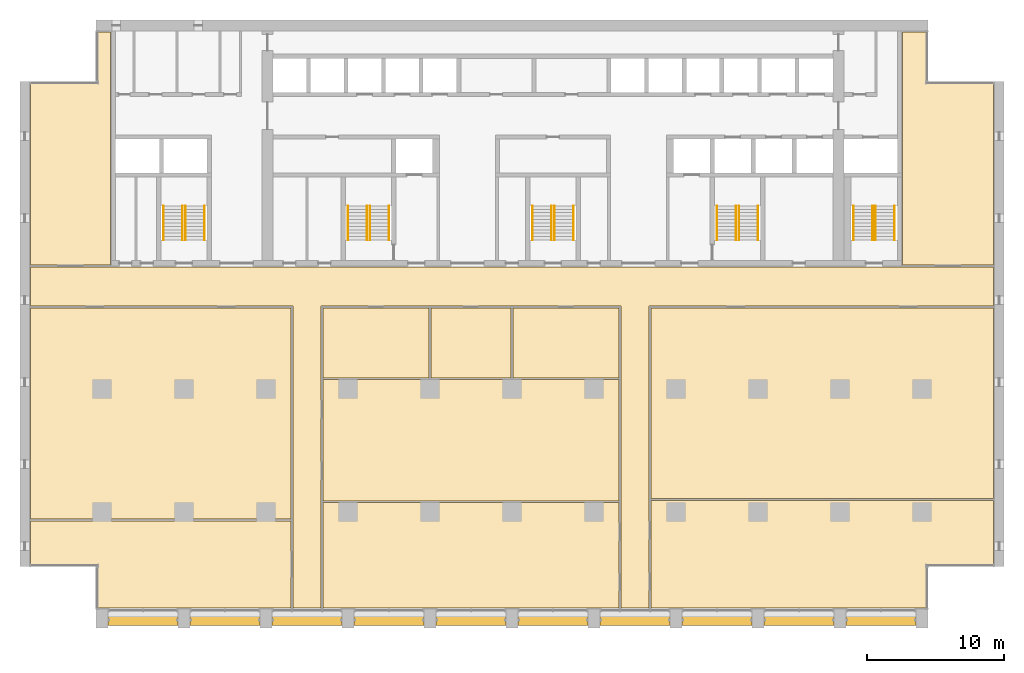
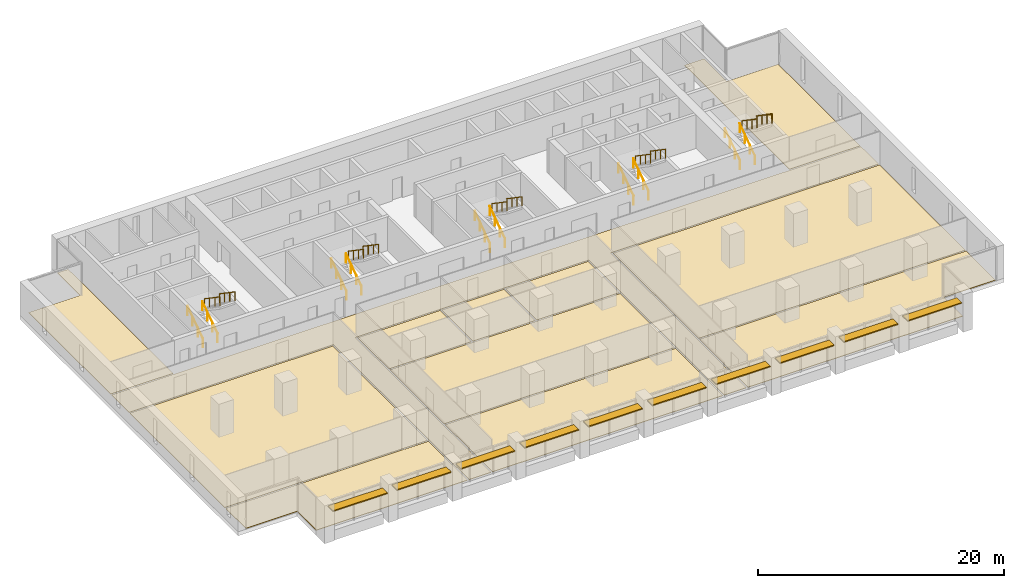
# One storey, part 15 of 15: 20 railings, 12 coverings, 10 shading devices, 5 elements without a shape of their own.
"""IFC4 building model written with IfcOpenShell, lengths in metres."""

from ifc_helpers import new_model, si_unit, direction, frame, origin, origin_2d, place, context, subcontext, project, spatial, polyline, rectangle, circle, outline, extrude, material, layer, layer_set, material_profile, profile_set, type_object, element, aggregate, save


model = new_model("IFC4")

# Units and contexts
model_context = context("Model", 3, precision=1e-05, world=origin(), true_north=direction((0.0, 1.0)))
body_context = subcontext(model_context, "Body", "Model", "MODEL_VIEW")
ifc_project = project(units=[si_unit("LENGTHUNIT", "METRE"), si_unit("AREAUNIT", "SQUARE_METRE"), si_unit("VOLUMEUNIT", "CUBIC_METRE"), si_unit("PLANEANGLEUNIT", "RADIAN"), si_unit("MASSUNIT", "GRAM", prefix="KILO")], contexts=[model_context])

# Site, building, storey
site_placement = place(None, origin())
site = spatial("IfcSite", under=ifc_project, at=site_placement, CompositionType="ELEMENT")
building_placement = place(site_placement, origin())
building = spatial("IfcBuilding", under=site, at=building_placement, Name="Calvaro Tower", CompositionType="ELEMENT")
storey_placement = place(building_placement, frame((0.0, 0.0, 110.0)))
storey = spatial("IfcBuildingStorey", under=building, at=storey_placement, Name="L27", CompositionType="ELEMENT", Elevation=110.0)

# Shading devices
ifc_material_1 = material(Name="Anodised aluminium", Category="aluminium")
ifc_material_profile = material_profile(ifc_material_1, rectangle(XDim=0.800048828125, YDim=0.10009765625, at=origin_2d()), Name="Brise-soleil blade 800 x 100")
ifc_profile_set = profile_set([ifc_material_profile], Name="Anodised aluminium")
shading_device_type = type_object("IfcShadingDeviceType", Name="Brise-soleil blade 800 x 100", PredefinedType="JALOUSIE", material=ifc_profile_set)
for number, where, z_axis, x_axis, name in (
    (1, (6.449951171875, 2.10009765625, 2.39990234375), (1.0, 0.0, 0.0), (0.0, 1.0, 0.0), "Brise-soleil blade 1"),
    (2, (12.449951171875, 2.10009765625, 2.39990234375), (1.0, 0.0, 0.0), (0.0, 1.0, 0.0), "Brise-soleil blade 2"),
    (3, (18.449951171875, 2.10009765625, 2.39990234375), (1.0, 0.0, 0.0), (0.0, 1.0, 0.0), "Brise-soleil blade 3"),
    (4, (24.449951171875, 2.10009765625, 2.39990234375), (1.0, 0.0, 0.0), (0.0, 1.0, 0.0), "Brise-soleil blade 4"),
    (5, (30.449951171875, 2.10009765625, 2.39990234375), (1.0, 0.0, 0.0), (0.0, 1.0, 0.0), "Brise-soleil blade 5"),
    (6, (36.449951171875, 2.10009765625, 2.39990234375), (1.0, 0.0, 0.0), (0.0, 1.0, 0.0), "Brise-soleil blade 6"),
    (7, (42.449951171875, 2.10009765625, 2.39990234375), (1.0, 0.0, 0.0), (0.0, 1.0, 0.0), "Brise-soleil blade 7"),
    (8, (48.449951171875, 2.10009765625, 2.39990234375), (1.0, 0.0, 0.0), (0.0, 1.0, 0.0), "Brise-soleil blade 8"),
    (9, (54.449951171875, 2.10009765625, 2.39990234375), (1.0, 0.0, 0.0), (0.0, 1.0, 0.0), "Brise-soleil blade 9"),
    (10, (60.449951171875, 2.10009765625, 2.39990234375), (1.0, 0.0, 0.0), (0.0, 1.0, 0.0), "Brise-soleil blade 10"),
):
    element("IfcShadingDevice", number, at=place(storey_placement, frame(where, z_axis=z_axis, x_axis=x_axis)), inside=storey, type_object=shading_device_type, Name=name, PredefinedType="JALOUSIE", context=body_context, shape_type="SweptSolid", body=[
        extrude(rectangle(XDim=0.800048828125, YDim=0.10009765625, at=origin_2d()), origin(), (0.0, 0.0, 1.0), 5.10009765625),
    ])

# Coverings
ifc_material_2 = material(Name="Cement screed with carpet tile finish")
ifc_layer = layer(ifc_material_2, 0.050048828125)
ifc_layer_set = layer_set([ifc_layer], Name="Cement screed with carpet tile finish")
covering_type = type_object("IfcCoveringType", Name="Floor finish 50", PredefinedType="FLOORING", material=ifc_layer_set)
covering_1_placement = place(storey_placement, origin())
element("IfcCovering", 11, at=covering_1_placement, inside=storey, type_object=covering_type, Name="Floor finish 17.01", PredefinedType="FLOORING", context=body_context, shape_type="SweptSolid", body=[
    extrude(outline(polyline([(19.969970703125, 2.969970703125), (19.969970703125, 25.070068359375), (0.77001953125, 25.070068359375), (0.77001953125, 27.929931640625), (71.22998046875, 27.929931640625), (71.22998046875, 25.070068359375), (46.030029296875, 25.070068359375), (46.030029296875, 2.969970703125), (43.969970703125, 2.969970703125), (43.969970703125, 25.070068359375), (22.030029296875, 25.070068359375), (22.030029296875, 2.969970703125), (19.969970703125, 2.969970703125)])), origin(), (0.0, 0.0, 1.0), 0.050048828125),
])
covering_2_placement = place(storey_placement, origin())
element("IfcCovering", 12, at=covering_2_placement, inside=storey, type_object=covering_type, Name="Floor finish 17.02", PredefinedType="FLOORING", context=body_context, shape_type="SweptSolid", body=[
    extrude(outline(polyline([(19.830078125, 9.330078125), (19.830078125, 2.969970703125), (5.6201171875, 2.969970703125), (5.6201171875, 6.070068359375), (0.77001953125, 6.070068359375), (0.77001953125, 9.330078125), (19.830078125, 9.330078125)])), origin(), (0.0, 0.0, 1.0), 0.050048828125),
])
covering_3_placement = place(storey_placement, origin())
element("IfcCovering", 13, at=covering_3_placement, inside=storey, type_object=covering_type, Name="Floor finish 17.06", PredefinedType="FLOORING", context=body_context, shape_type="SweptSolid", body=[
    extrude(outline(polyline([(19.830078125, 24.929931640625), (19.830078125, 9.469970703125), (0.77001953125, 9.469970703125), (0.77001953125, 24.929931640625), (19.830078125, 24.929931640625)])), origin(), (0.0, 0.0, 1.0), 0.050048828125),
])
covering_4_placement = place(storey_placement, origin())
element("IfcCovering", 14, at=covering_4_placement, inside=storey, type_object=covering_type, Name="Floor finish 17.03", PredefinedType="FLOORING", context=body_context, shape_type="SweptSolid", body=[
    extrude(outline(polyline([(22.169921875, 10.679931640625), (43.830078125, 10.679931640625), (43.830078125, 2.969970703125), (22.169921875, 2.969970703125), (22.169921875, 10.679931640625)])), origin(), (0.0, 0.0, 1.0), 0.050048828125),
])
covering_5_placement = place(storey_placement, origin())
element("IfcCovering", 15, at=covering_5_placement, inside=storey, type_object=covering_type, Name="Floor finish 17.05", PredefinedType="FLOORING", context=body_context, shape_type="SweptSolid", body=[
    extrude(outline(polyline([(22.169921875, 10.820068359375), (22.169921875, 19.679931640625), (43.830078125, 19.679931640625), (43.830078125, 10.820068359375), (22.169921875, 10.820068359375)])), origin(), (0.0, 0.0, 1.0), 0.050048828125),
])
covering_6_placement = place(storey_placement, origin())
element("IfcCovering", 16, at=covering_6_placement, inside=storey, type_object=covering_type, Name="Floor finish 17.08", PredefinedType="FLOORING", context=body_context, shape_type="SweptSolid", body=[
    extrude(outline(polyline([(22.169921875, 19.820068359375), (22.169921875, 24.929931640625), (29.929931640625, 24.929931640625), (29.929931640625, 19.820068359375), (22.169921875, 19.820068359375)])), origin(), (0.0, 0.0, 1.0), 0.050048828125),
])
covering_7_placement = place(storey_placement, origin())
element("IfcCovering", 17, at=covering_7_placement, inside=storey, type_object=covering_type, Name="Floor finish 17.09", PredefinedType="FLOORING", context=body_context, shape_type="SweptSolid", body=[
    extrude(outline(polyline([(30.070068359375, 19.820068359375), (30.070068359375, 24.929931640625), (35.929931640625, 24.929931640625), (35.929931640625, 19.820068359375), (30.070068359375, 19.820068359375)])), origin(), (0.0, 0.0, 1.0), 0.050048828125),
])
covering_8_placement = place(storey_placement, origin())
element("IfcCovering", 18, at=covering_8_placement, inside=storey, type_object=covering_type, Name="Floor finish 17.10", PredefinedType="FLOORING", context=body_context, shape_type="SweptSolid", body=[
    extrude(outline(polyline([(36.070068359375, 19.820068359375), (36.070068359375, 24.929931640625), (43.830078125, 24.929931640625), (43.830078125, 19.820068359375), (36.070068359375, 19.820068359375)])), origin(), (0.0, 0.0, 1.0), 0.050048828125),
])
covering_9_placement = place(storey_placement, origin())
element("IfcCovering", 19, at=covering_9_placement, inside=storey, type_object=covering_type, Name="Floor finish 17.04", PredefinedType="FLOORING", context=body_context, shape_type="SweptSolid", body=[
    extrude(outline(polyline([(71.22998046875, 6.070068359375), (66.3798828125, 6.070068359375), (66.3798828125, 2.969970703125), (46.169921875, 2.969970703125), (46.169921875, 10.830078125), (71.22998046875, 10.830078125), (71.22998046875, 6.070068359375)])), origin(), (0.0, 0.0, 1.0), 0.050048828125),
])
covering_10_placement = place(storey_placement, origin())
element("IfcCovering", 20, at=covering_10_placement, inside=storey, type_object=covering_type, Name="Floor finish 17.07", PredefinedType="FLOORING", context=body_context, shape_type="SweptSolid", body=[
    extrude(outline(polyline([(71.22998046875, 10.969970703125), (46.169921875, 10.969970703125), (46.169921875, 24.929931640625), (71.22998046875, 24.929931640625), (71.22998046875, 10.969970703125)])), origin(), (0.0, 0.0, 1.0), 0.050048828125),
])
covering_11_placement = place(storey_placement, origin())
element("IfcCovering", 21, at=covering_11_placement, inside=storey, type_object=covering_type, Name="Floor finish 17.11", PredefinedType="FLOORING", context=body_context, shape_type="SweptSolid", body=[
    extrude(outline(polyline([(6.6298828125, 28.070068359375), (0.77001953125, 28.070068359375), (0.77001953125, 41.429931640625), (5.6201171875, 41.429931640625), (5.6201171875, 45.1298828125), (6.6298828125, 45.1298828125), (6.6298828125, 28.070068359375)])), origin(), (0.0, 0.0, 1.0), 0.050048828125),
])
covering_12_placement = place(storey_placement, origin())
element("IfcCovering", 22, at=covering_12_placement, inside=storey, type_object=covering_type, Name="Floor finish 17.12", PredefinedType="FLOORING", context=body_context, shape_type="SweptSolid", body=[
    extrude(outline(polyline([(71.22998046875, 28.070068359375), (64.570068359375, 28.070068359375), (64.570068359375, 45.1298828125), (66.3798828125, 45.1298828125), (66.3798828125, 41.429931640625), (71.22998046875, 41.429931640625), (71.22998046875, 28.070068359375)])), origin(), (0.0, 0.0, 1.0), 0.050048828125),
])

# Stair, railings
ifc_material_3 = material(Name="Concrete C40/50", Category="concrete")
stair_type = type_object("IfcStairType", Name="Exit stair 1400 2 flights", PredefinedType="HALF_TURN_STAIR", material=ifc_material_3)
stair_1_placement = place(storey_placement, origin())
stair_1 = element("IfcStair", 23, at=stair_1_placement, inside=storey, type_object=stair_type, Name="Exit stair S1", PredefinedType="HALF_TURN_STAIR")
ifc_material_4 = material(Name="Stainless steel", Category="steel")
railing_type = type_object("IfcRailingType", Name="Stair handrail", PredefinedType="HANDRAIL", material=ifc_material_4)
railing_1_placement = place(storey_placement, frame((11.89990234375, 29.89990234375, 0.17041015625)))
railing_1 = element("IfcRailing", 24, at=railing_1_placement, type_object=railing_type, Name="Exit stair 1 handrail", PredefinedType="HANDRAIL", context=body_context, shape_type="SweptSolid", body=[
    extrude(circle(Radius=0.02392578125, at=origin_2d()), frame((0.0, 0.0, 0.8759765625), z_axis=(0.0, 0.826220514629, 0.563346839174), x_axis=(-1.0, 0.0, 0.0)), (0.0, 0.0, 1.0), 3.02587890625),
    extrude(circle(Radius=0.02099609375, at=origin_2d()), frame((0.0, 0.017333984375, 0.01171875)), (0.0, 0.0, 1.0), 0.851806640625),
    extrude(circle(Radius=0.02099609375, at=origin_2d()), frame((0.0, 0.833251953125, 0.568115234375)), (0.0, 0.0, 1.0), 0.851806640625),
    extrude(circle(Radius=0.02099609375, at=origin_2d()), frame((0.0, 1.666748046875, 1.136474609375)), (0.0, 0.0, 1.0), 0.851806640625),
    extrude(circle(Radius=0.02099609375, at=origin_2d()), frame((0.0, 2.482666015625, 1.69287109375)), (0.0, 0.0, 1.0), 0.851806640625),
])
railing_2_placement = place(storey_placement, frame((10.5, 29.89990234375, 0.17041015625)))
railing_2 = element("IfcRailing", 25, at=railing_2_placement, type_object=railing_type, Name="Exit stair 1 handrail", PredefinedType="HANDRAIL", context=body_context, shape_type="SweptSolid", body=[
    extrude(circle(Radius=0.02392578125, at=origin_2d()), frame((0.0, 0.0, 0.8759765625), z_axis=(0.0, 0.826220514629, 0.563346839174), x_axis=(-1.0, 0.0, 0.0)), (0.0, 0.0, 1.0), 3.02587890625),
    extrude(circle(Radius=0.02099609375, at=origin_2d()), frame((0.0, 0.017333984375, 0.01171875)), (0.0, 0.0, 1.0), 0.851806640625),
    extrude(circle(Radius=0.02099609375, at=origin_2d()), frame((0.0, 0.833251953125, 0.568115234375)), (0.0, 0.0, 1.0), 0.851806640625),
    extrude(circle(Radius=0.02099609375, at=origin_2d()), frame((0.0, 1.666748046875, 1.136474609375)), (0.0, 0.0, 1.0), 0.851806640625),
    extrude(circle(Radius=0.02099609375, at=origin_2d()), frame((0.0, 2.482666015625, 1.69287109375)), (0.0, 0.0, 1.0), 0.851806640625),
])
railing_3_placement = place(storey_placement, frame((12.10009765625, 32.39990234375, 2.04541015625)))
railing_3 = element("IfcRailing", 26, at=railing_3_placement, type_object=railing_type, Name="Exit stair 1 handrail", PredefinedType="HANDRAIL", context=body_context, shape_type="SweptSolid", body=[
    extrude(circle(Radius=0.02392578125, at=origin_2d()), frame((0.0, 0.0, 0.8759765625), z_axis=(0.0, -0.826220514629, 0.563346839174), x_axis=(1.0, 0.0, 0.0)), (0.0, 0.0, 1.0), 3.02587890625),
    extrude(circle(Radius=0.02099609375, at=origin_2d()), frame((0.0, -0.017333984375, 0.01171875)), (0.0, 0.0, 1.0), 0.851806640625),
    extrude(circle(Radius=0.02099609375, at=origin_2d()), frame((0.0, -0.833251953125, 0.568115234375)), (0.0, 0.0, 1.0), 0.851806640625),
    extrude(circle(Radius=0.02099609375, at=origin_2d()), frame((0.0, -1.666748046875, 1.136474609375)), (0.0, 0.0, 1.0), 0.851806640625),
    extrude(circle(Radius=0.02099609375, at=origin_2d()), frame((0.0, -2.482666015625, 1.69287109375)), (0.0, 0.0, 1.0), 0.851806640625),
])
railing_4_placement = place(storey_placement, frame((13.5, 32.39990234375, 2.04541015625)))
railing_4 = element("IfcRailing", 27, at=railing_4_placement, type_object=railing_type, Name="Exit stair 1 handrail", PredefinedType="HANDRAIL", context=body_context, shape_type="SweptSolid", body=[
    extrude(circle(Radius=0.02392578125, at=origin_2d()), frame((0.0, 0.0, 0.8759765625), z_axis=(0.0, -0.826220514629, 0.563346839174), x_axis=(1.0, 0.0, 0.0)), (0.0, 0.0, 1.0), 3.02587890625),
    extrude(circle(Radius=0.02099609375, at=origin_2d()), frame((0.0, -0.017333984375, 0.01171875)), (0.0, 0.0, 1.0), 0.851806640625),
    extrude(circle(Radius=0.02099609375, at=origin_2d()), frame((0.0, -0.833251953125, 0.568115234375)), (0.0, 0.0, 1.0), 0.851806640625),
    extrude(circle(Radius=0.02099609375, at=origin_2d()), frame((0.0, -1.666748046875, 1.136474609375)), (0.0, 0.0, 1.0), 0.851806640625),
    extrude(circle(Radius=0.02099609375, at=origin_2d()), frame((0.0, -2.482666015625, 1.69287109375)), (0.0, 0.0, 1.0), 0.851806640625),
])
aggregate(stair_1, [railing_1, railing_2, railing_3, railing_4])

stair_2_placement = place(storey_placement, origin())
stair_2 = element("IfcStair", 28, at=stair_2_placement, inside=storey, type_object=stair_type, Name="Exit stair S2", PredefinedType="HALF_TURN_STAIR")
railing_5_placement = place(storey_placement, frame((25.39990234375, 29.89990234375, 0.17041015625)))
railing_5 = element("IfcRailing", 29, at=railing_5_placement, type_object=railing_type, Name="Exit stair 2 handrail", PredefinedType="HANDRAIL", context=body_context, shape_type="SweptSolid", body=[
    extrude(circle(Radius=0.02392578125, at=origin_2d()), frame((0.0, 0.0, 0.8759765625), z_axis=(0.0, 0.826220514629, 0.563346839174), x_axis=(-1.0, 0.0, 0.0)), (0.0, 0.0, 1.0), 3.02587890625),
    extrude(circle(Radius=0.02099609375, at=origin_2d()), frame((0.0, 0.017333984375, 0.01171875)), (0.0, 0.0, 1.0), 0.851806640625),
    extrude(circle(Radius=0.02099609375, at=origin_2d()), frame((0.0, 0.833251953125, 0.568115234375)), (0.0, 0.0, 1.0), 0.851806640625),
    extrude(circle(Radius=0.02099609375, at=origin_2d()), frame((0.0, 1.666748046875, 1.136474609375)), (0.0, 0.0, 1.0), 0.851806640625),
    extrude(circle(Radius=0.02099609375, at=origin_2d()), frame((0.0, 2.482666015625, 1.69287109375)), (0.0, 0.0, 1.0), 0.851806640625),
])
railing_6_placement = place(storey_placement, frame((24.0, 29.89990234375, 0.17041015625)))
railing_6 = element("IfcRailing", 30, at=railing_6_placement, type_object=railing_type, Name="Exit stair 2 handrail", PredefinedType="HANDRAIL", context=body_context, shape_type="SweptSolid", body=[
    extrude(circle(Radius=0.02392578125, at=origin_2d()), frame((0.0, 0.0, 0.8759765625), z_axis=(0.0, 0.826220514629, 0.563346839174), x_axis=(-1.0, 0.0, 0.0)), (0.0, 0.0, 1.0), 3.02587890625),
    extrude(circle(Radius=0.02099609375, at=origin_2d()), frame((0.0, 0.017333984375, 0.01171875)), (0.0, 0.0, 1.0), 0.851806640625),
    extrude(circle(Radius=0.02099609375, at=origin_2d()), frame((0.0, 0.833251953125, 0.568115234375)), (0.0, 0.0, 1.0), 0.851806640625),
    extrude(circle(Radius=0.02099609375, at=origin_2d()), frame((0.0, 1.666748046875, 1.136474609375)), (0.0, 0.0, 1.0), 0.851806640625),
    extrude(circle(Radius=0.02099609375, at=origin_2d()), frame((0.0, 2.482666015625, 1.69287109375)), (0.0, 0.0, 1.0), 0.851806640625),
])
railing_7_placement = place(storey_placement, frame((25.60009765625, 32.39990234375, 2.04541015625)))
railing_7 = element("IfcRailing", 31, at=railing_7_placement, type_object=railing_type, Name="Exit stair 2 handrail", PredefinedType="HANDRAIL", context=body_context, shape_type="SweptSolid", body=[
    extrude(circle(Radius=0.02392578125, at=origin_2d()), frame((0.0, 0.0, 0.8759765625), z_axis=(0.0, -0.826220514629, 0.563346839174), x_axis=(1.0, 0.0, 0.0)), (0.0, 0.0, 1.0), 3.02587890625),
    extrude(circle(Radius=0.02099609375, at=origin_2d()), frame((0.0, -0.017333984375, 0.01171875)), (0.0, 0.0, 1.0), 0.851806640625),
    extrude(circle(Radius=0.02099609375, at=origin_2d()), frame((0.0, -0.833251953125, 0.568115234375)), (0.0, 0.0, 1.0), 0.851806640625),
    extrude(circle(Radius=0.02099609375, at=origin_2d()), frame((0.0, -1.666748046875, 1.136474609375)), (0.0, 0.0, 1.0), 0.851806640625),
    extrude(circle(Radius=0.02099609375, at=origin_2d()), frame((0.0, -2.482666015625, 1.69287109375)), (0.0, 0.0, 1.0), 0.851806640625),
])
railing_8_placement = place(storey_placement, frame((27.0, 32.39990234375, 2.04541015625)))
railing_8 = element("IfcRailing", 32, at=railing_8_placement, type_object=railing_type, Name="Exit stair 2 handrail", PredefinedType="HANDRAIL", context=body_context, shape_type="SweptSolid", body=[
    extrude(circle(Radius=0.02392578125, at=origin_2d()), frame((0.0, 0.0, 0.8759765625), z_axis=(0.0, -0.826220514629, 0.563346839174), x_axis=(1.0, 0.0, 0.0)), (0.0, 0.0, 1.0), 3.02587890625),
    extrude(circle(Radius=0.02099609375, at=origin_2d()), frame((0.0, -0.017333984375, 0.01171875)), (0.0, 0.0, 1.0), 0.851806640625),
    extrude(circle(Radius=0.02099609375, at=origin_2d()), frame((0.0, -0.833251953125, 0.568115234375)), (0.0, 0.0, 1.0), 0.851806640625),
    extrude(circle(Radius=0.02099609375, at=origin_2d()), frame((0.0, -1.666748046875, 1.136474609375)), (0.0, 0.0, 1.0), 0.851806640625),
    extrude(circle(Radius=0.02099609375, at=origin_2d()), frame((0.0, -2.482666015625, 1.69287109375)), (0.0, 0.0, 1.0), 0.851806640625),
])
aggregate(stair_2, [railing_5, railing_6, railing_7, railing_8])

stair_3_placement = place(storey_placement, origin())
stair_3 = element("IfcStair", 33, at=stair_3_placement, inside=storey, type_object=stair_type, Name="Exit stair S3", PredefinedType="HALF_TURN_STAIR")
railing_9_placement = place(storey_placement, frame((38.89990234375, 29.89990234375, 0.17041015625)))
railing_9 = element("IfcRailing", 34, at=railing_9_placement, type_object=railing_type, Name="Exit stair 3 handrail", PredefinedType="HANDRAIL", context=body_context, shape_type="SweptSolid", body=[
    extrude(circle(Radius=0.02392578125, at=origin_2d()), frame((0.0, 0.0, 0.8759765625), z_axis=(0.0, 0.826220514629, 0.563346839174), x_axis=(-1.0, 0.0, 0.0)), (0.0, 0.0, 1.0), 3.02587890625),
    extrude(circle(Radius=0.02099609375, at=origin_2d()), frame((0.0, 0.017333984375, 0.01171875)), (0.0, 0.0, 1.0), 0.851806640625),
    extrude(circle(Radius=0.02099609375, at=origin_2d()), frame((0.0, 0.833251953125, 0.568115234375)), (0.0, 0.0, 1.0), 0.851806640625),
    extrude(circle(Radius=0.02099609375, at=origin_2d()), frame((0.0, 1.666748046875, 1.136474609375)), (0.0, 0.0, 1.0), 0.851806640625),
    extrude(circle(Radius=0.02099609375, at=origin_2d()), frame((0.0, 2.482666015625, 1.69287109375)), (0.0, 0.0, 1.0), 0.851806640625),
])
railing_10_placement = place(storey_placement, frame((37.5, 29.89990234375, 0.17041015625)))
railing_10 = element("IfcRailing", 35, at=railing_10_placement, type_object=railing_type, Name="Exit stair 3 handrail", PredefinedType="HANDRAIL", context=body_context, shape_type="SweptSolid", body=[
    extrude(circle(Radius=0.02392578125, at=origin_2d()), frame((0.0, 0.0, 0.8759765625), z_axis=(0.0, 0.826220514629, 0.563346839174), x_axis=(-1.0, 0.0, 0.0)), (0.0, 0.0, 1.0), 3.02587890625),
    extrude(circle(Radius=0.02099609375, at=origin_2d()), frame((0.0, 0.017333984375, 0.01171875)), (0.0, 0.0, 1.0), 0.851806640625),
    extrude(circle(Radius=0.02099609375, at=origin_2d()), frame((0.0, 0.833251953125, 0.568115234375)), (0.0, 0.0, 1.0), 0.851806640625),
    extrude(circle(Radius=0.02099609375, at=origin_2d()), frame((0.0, 1.666748046875, 1.136474609375)), (0.0, 0.0, 1.0), 0.851806640625),
    extrude(circle(Radius=0.02099609375, at=origin_2d()), frame((0.0, 2.482666015625, 1.69287109375)), (0.0, 0.0, 1.0), 0.851806640625),
])
railing_11_placement = place(storey_placement, frame((39.10009765625, 32.39990234375, 2.04541015625)))
railing_11 = element("IfcRailing", 36, at=railing_11_placement, type_object=railing_type, Name="Exit stair 3 handrail", PredefinedType="HANDRAIL", context=body_context, shape_type="SweptSolid", body=[
    extrude(circle(Radius=0.02392578125, at=origin_2d()), frame((0.0, 0.0, 0.8759765625), z_axis=(0.0, -0.826220514629, 0.563346839174), x_axis=(1.0, 0.0, 0.0)), (0.0, 0.0, 1.0), 3.02587890625),
    extrude(circle(Radius=0.02099609375, at=origin_2d()), frame((0.0, -0.017333984375, 0.01171875)), (0.0, 0.0, 1.0), 0.851806640625),
    extrude(circle(Radius=0.02099609375, at=origin_2d()), frame((0.0, -0.833251953125, 0.568115234375)), (0.0, 0.0, 1.0), 0.851806640625),
    extrude(circle(Radius=0.02099609375, at=origin_2d()), frame((0.0, -1.666748046875, 1.136474609375)), (0.0, 0.0, 1.0), 0.851806640625),
    extrude(circle(Radius=0.02099609375, at=origin_2d()), frame((0.0, -2.482666015625, 1.69287109375)), (0.0, 0.0, 1.0), 0.851806640625),
])
railing_12_placement = place(storey_placement, frame((40.5, 32.39990234375, 2.04541015625)))
railing_12 = element("IfcRailing", 37, at=railing_12_placement, type_object=railing_type, Name="Exit stair 3 handrail", PredefinedType="HANDRAIL", context=body_context, shape_type="SweptSolid", body=[
    extrude(circle(Radius=0.02392578125, at=origin_2d()), frame((0.0, 0.0, 0.8759765625), z_axis=(0.0, -0.826220514629, 0.563346839174), x_axis=(1.0, 0.0, 0.0)), (0.0, 0.0, 1.0), 3.02587890625),
    extrude(circle(Radius=0.02099609375, at=origin_2d()), frame((0.0, -0.017333984375, 0.01171875)), (0.0, 0.0, 1.0), 0.851806640625),
    extrude(circle(Radius=0.02099609375, at=origin_2d()), frame((0.0, -0.833251953125, 0.568115234375)), (0.0, 0.0, 1.0), 0.851806640625),
    extrude(circle(Radius=0.02099609375, at=origin_2d()), frame((0.0, -1.666748046875, 1.136474609375)), (0.0, 0.0, 1.0), 0.851806640625),
    extrude(circle(Radius=0.02099609375, at=origin_2d()), frame((0.0, -2.482666015625, 1.69287109375)), (0.0, 0.0, 1.0), 0.851806640625),
])
aggregate(stair_3, [railing_9, railing_10, railing_11, railing_12])

stair_4_placement = place(storey_placement, origin())
stair_4 = element("IfcStair", 38, at=stair_4_placement, inside=storey, type_object=stair_type, Name="Exit stair S4", PredefinedType="HALF_TURN_STAIR")
railing_13_placement = place(storey_placement, frame((52.39990234375, 29.89990234375, 0.17041015625)))
railing_13 = element("IfcRailing", 39, at=railing_13_placement, type_object=railing_type, Name="Exit stair 4 handrail", PredefinedType="HANDRAIL", context=body_context, shape_type="SweptSolid", body=[
    extrude(circle(Radius=0.02392578125, at=origin_2d()), frame((0.0, 0.0, 0.8759765625), z_axis=(0.0, 0.826220514629, 0.563346839174), x_axis=(-1.0, 0.0, 0.0)), (0.0, 0.0, 1.0), 3.02587890625),
    extrude(circle(Radius=0.02099609375, at=origin_2d()), frame((0.0, 0.017333984375, 0.01171875)), (0.0, 0.0, 1.0), 0.851806640625),
    extrude(circle(Radius=0.02099609375, at=origin_2d()), frame((0.0, 0.833251953125, 0.568115234375)), (0.0, 0.0, 1.0), 0.851806640625),
    extrude(circle(Radius=0.02099609375, at=origin_2d()), frame((0.0, 1.666748046875, 1.136474609375)), (0.0, 0.0, 1.0), 0.851806640625),
    extrude(circle(Radius=0.02099609375, at=origin_2d()), frame((0.0, 2.482666015625, 1.69287109375)), (0.0, 0.0, 1.0), 0.851806640625),
])
railing_14_placement = place(storey_placement, frame((51.0, 29.89990234375, 0.17041015625)))
railing_14 = element("IfcRailing", 40, at=railing_14_placement, type_object=railing_type, Name="Exit stair 4 handrail", PredefinedType="HANDRAIL", context=body_context, shape_type="SweptSolid", body=[
    extrude(circle(Radius=0.02392578125, at=origin_2d()), frame((0.0, 0.0, 0.8759765625), z_axis=(0.0, 0.826220514629, 0.563346839174), x_axis=(-1.0, 0.0, 0.0)), (0.0, 0.0, 1.0), 3.02587890625),
    extrude(circle(Radius=0.02099609375, at=origin_2d()), frame((0.0, 0.017333984375, 0.01171875)), (0.0, 0.0, 1.0), 0.851806640625),
    extrude(circle(Radius=0.02099609375, at=origin_2d()), frame((0.0, 0.833251953125, 0.568115234375)), (0.0, 0.0, 1.0), 0.851806640625),
    extrude(circle(Radius=0.02099609375, at=origin_2d()), frame((0.0, 1.666748046875, 1.136474609375)), (0.0, 0.0, 1.0), 0.851806640625),
    extrude(circle(Radius=0.02099609375, at=origin_2d()), frame((0.0, 2.482666015625, 1.69287109375)), (0.0, 0.0, 1.0), 0.851806640625),
])
railing_15_placement = place(storey_placement, frame((52.60009765625, 32.39990234375, 2.04541015625)))
railing_15 = element("IfcRailing", 41, at=railing_15_placement, type_object=railing_type, Name="Exit stair 4 handrail", PredefinedType="HANDRAIL", context=body_context, shape_type="SweptSolid", body=[
    extrude(circle(Radius=0.02392578125, at=origin_2d()), frame((0.0, 0.0, 0.8759765625), z_axis=(0.0, -0.826220514629, 0.563346839174), x_axis=(1.0, 0.0, 0.0)), (0.0, 0.0, 1.0), 3.02587890625),
    extrude(circle(Radius=0.02099609375, at=origin_2d()), frame((0.0, -0.017333984375, 0.01171875)), (0.0, 0.0, 1.0), 0.851806640625),
    extrude(circle(Radius=0.02099609375, at=origin_2d()), frame((0.0, -0.833251953125, 0.568115234375)), (0.0, 0.0, 1.0), 0.851806640625),
    extrude(circle(Radius=0.02099609375, at=origin_2d()), frame((0.0, -1.666748046875, 1.136474609375)), (0.0, 0.0, 1.0), 0.851806640625),
    extrude(circle(Radius=0.02099609375, at=origin_2d()), frame((0.0, -2.482666015625, 1.69287109375)), (0.0, 0.0, 1.0), 0.851806640625),
])
railing_16_placement = place(storey_placement, frame((54.0, 32.39990234375, 2.04541015625)))
railing_16 = element("IfcRailing", 42, at=railing_16_placement, type_object=railing_type, Name="Exit stair 4 handrail", PredefinedType="HANDRAIL", context=body_context, shape_type="SweptSolid", body=[
    extrude(circle(Radius=0.02392578125, at=origin_2d()), frame((0.0, 0.0, 0.8759765625), z_axis=(0.0, -0.826220514629, 0.563346839174), x_axis=(1.0, 0.0, 0.0)), (0.0, 0.0, 1.0), 3.02587890625),
    extrude(circle(Radius=0.02099609375, at=origin_2d()), frame((0.0, -0.017333984375, 0.01171875)), (0.0, 0.0, 1.0), 0.851806640625),
    extrude(circle(Radius=0.02099609375, at=origin_2d()), frame((0.0, -0.833251953125, 0.568115234375)), (0.0, 0.0, 1.0), 0.851806640625),
    extrude(circle(Radius=0.02099609375, at=origin_2d()), frame((0.0, -1.666748046875, 1.136474609375)), (0.0, 0.0, 1.0), 0.851806640625),
    extrude(circle(Radius=0.02099609375, at=origin_2d()), frame((0.0, -2.482666015625, 1.69287109375)), (0.0, 0.0, 1.0), 0.851806640625),
])
aggregate(stair_4, [railing_13, railing_14, railing_15, railing_16])

stair_5_placement = place(storey_placement, origin())
stair_5 = element("IfcStair", 43, at=stair_5_placement, inside=storey, type_object=stair_type, Name="Exit stair S5", PredefinedType="HALF_TURN_STAIR")
railing_17_placement = place(storey_placement, frame((62.39990234375, 29.89990234375, 0.17041015625)))
railing_17 = element("IfcRailing", 44, at=railing_17_placement, type_object=railing_type, Name="Exit stair 5 handrail", PredefinedType="HANDRAIL", context=body_context, shape_type="SweptSolid", body=[
    extrude(circle(Radius=0.02392578125, at=origin_2d()), frame((0.0, 0.0, 0.8759765625), z_axis=(0.0, 0.826220514629, 0.563346839174), x_axis=(-1.0, 0.0, 0.0)), (0.0, 0.0, 1.0), 3.02587890625),
    extrude(circle(Radius=0.02099609375, at=origin_2d()), frame((0.0, 0.017333984375, 0.01171875)), (0.0, 0.0, 1.0), 0.851806640625),
    extrude(circle(Radius=0.02099609375, at=origin_2d()), frame((0.0, 0.833251953125, 0.568115234375)), (0.0, 0.0, 1.0), 0.851806640625),
    extrude(circle(Radius=0.02099609375, at=origin_2d()), frame((0.0, 1.666748046875, 1.136474609375)), (0.0, 0.0, 1.0), 0.851806640625),
    extrude(circle(Radius=0.02099609375, at=origin_2d()), frame((0.0, 2.482666015625, 1.69287109375)), (0.0, 0.0, 1.0), 0.851806640625),
])
railing_18_placement = place(storey_placement, frame((61.0, 29.89990234375, 0.17041015625)))
railing_18 = element("IfcRailing", 45, at=railing_18_placement, type_object=railing_type, Name="Exit stair 5 handrail", PredefinedType="HANDRAIL", context=body_context, shape_type="SweptSolid", body=[
    extrude(circle(Radius=0.02392578125, at=origin_2d()), frame((0.0, 0.0, 0.8759765625), z_axis=(0.0, 0.826220514629, 0.563346839174), x_axis=(-1.0, 0.0, 0.0)), (0.0, 0.0, 1.0), 3.02587890625),
    extrude(circle(Radius=0.02099609375, at=origin_2d()), frame((0.0, 0.017333984375, 0.01171875)), (0.0, 0.0, 1.0), 0.851806640625),
    extrude(circle(Radius=0.02099609375, at=origin_2d()), frame((0.0, 0.833251953125, 0.568115234375)), (0.0, 0.0, 1.0), 0.851806640625),
    extrude(circle(Radius=0.02099609375, at=origin_2d()), frame((0.0, 1.666748046875, 1.136474609375)), (0.0, 0.0, 1.0), 0.851806640625),
    extrude(circle(Radius=0.02099609375, at=origin_2d()), frame((0.0, 2.482666015625, 1.69287109375)), (0.0, 0.0, 1.0), 0.851806640625),
])
railing_19_placement = place(storey_placement, frame((62.60009765625, 32.39990234375, 2.04541015625)))
railing_19 = element("IfcRailing", 46, at=railing_19_placement, type_object=railing_type, Name="Exit stair 5 handrail", PredefinedType="HANDRAIL", context=body_context, shape_type="SweptSolid", body=[
    extrude(circle(Radius=0.02392578125, at=origin_2d()), frame((0.0, 0.0, 0.8759765625), z_axis=(0.0, -0.826220514629, 0.563346839174), x_axis=(1.0, 0.0, 0.0)), (0.0, 0.0, 1.0), 3.02587890625),
    extrude(circle(Radius=0.02099609375, at=origin_2d()), frame((0.0, -0.017333984375, 0.01171875)), (0.0, 0.0, 1.0), 0.851806640625),
    extrude(circle(Radius=0.02099609375, at=origin_2d()), frame((0.0, -0.833251953125, 0.568115234375)), (0.0, 0.0, 1.0), 0.851806640625),
    extrude(circle(Radius=0.02099609375, at=origin_2d()), frame((0.0, -1.666748046875, 1.136474609375)), (0.0, 0.0, 1.0), 0.851806640625),
    extrude(circle(Radius=0.02099609375, at=origin_2d()), frame((0.0, -2.482666015625, 1.69287109375)), (0.0, 0.0, 1.0), 0.851806640625),
])
railing_20_placement = place(storey_placement, frame((64.0, 32.39990234375, 2.04541015625)))
railing_20 = element("IfcRailing", 47, at=railing_20_placement, type_object=railing_type, Name="Exit stair 5 handrail", PredefinedType="HANDRAIL", context=body_context, shape_type="SweptSolid", body=[
    extrude(circle(Radius=0.02392578125, at=origin_2d()), frame((0.0, 0.0, 0.8759765625), z_axis=(0.0, -0.826220514629, 0.563346839174), x_axis=(1.0, 0.0, 0.0)), (0.0, 0.0, 1.0), 3.02587890625),
    extrude(circle(Radius=0.02099609375, at=origin_2d()), frame((0.0, -0.017333984375, 0.01171875)), (0.0, 0.0, 1.0), 0.851806640625),
    extrude(circle(Radius=0.02099609375, at=origin_2d()), frame((0.0, -0.833251953125, 0.568115234375)), (0.0, 0.0, 1.0), 0.851806640625),
    extrude(circle(Radius=0.02099609375, at=origin_2d()), frame((0.0, -1.666748046875, 1.136474609375)), (0.0, 0.0, 1.0), 0.851806640625),
    extrude(circle(Radius=0.02099609375, at=origin_2d()), frame((0.0, -2.482666015625, 1.69287109375)), (0.0, 0.0, 1.0), 0.851806640625),
])
aggregate(stair_5, [railing_17, railing_18, railing_19, railing_20])

save(model, "model.ifc")
